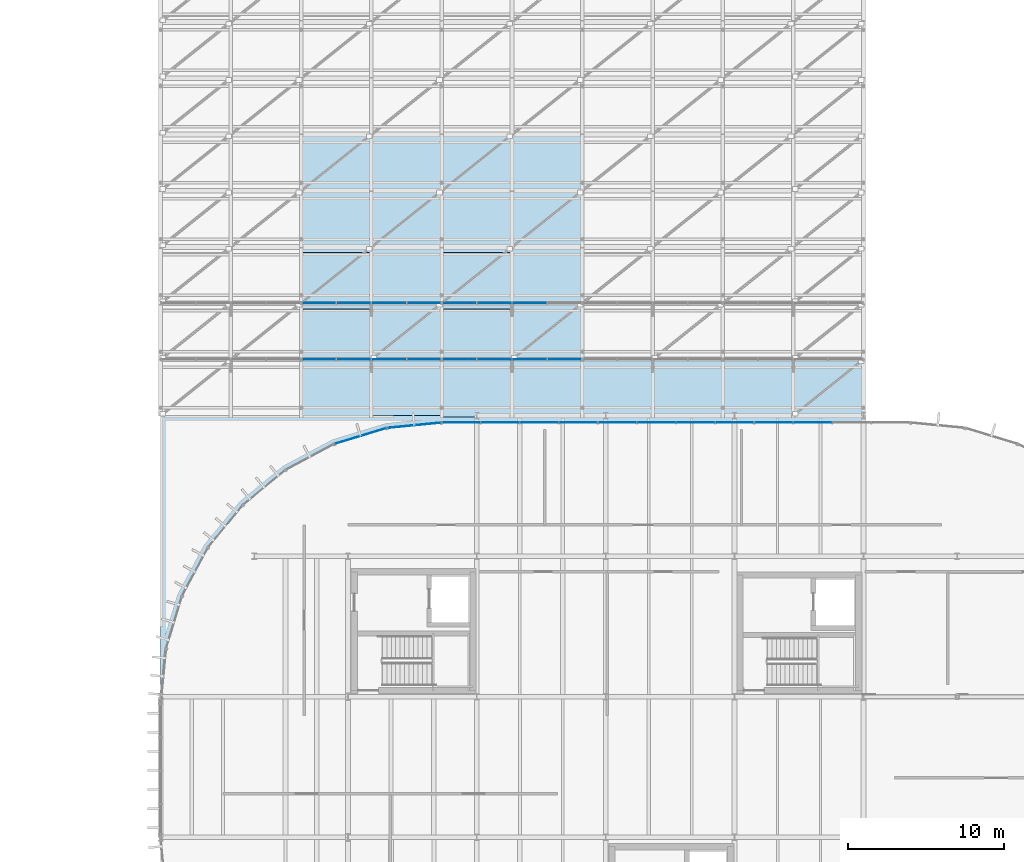
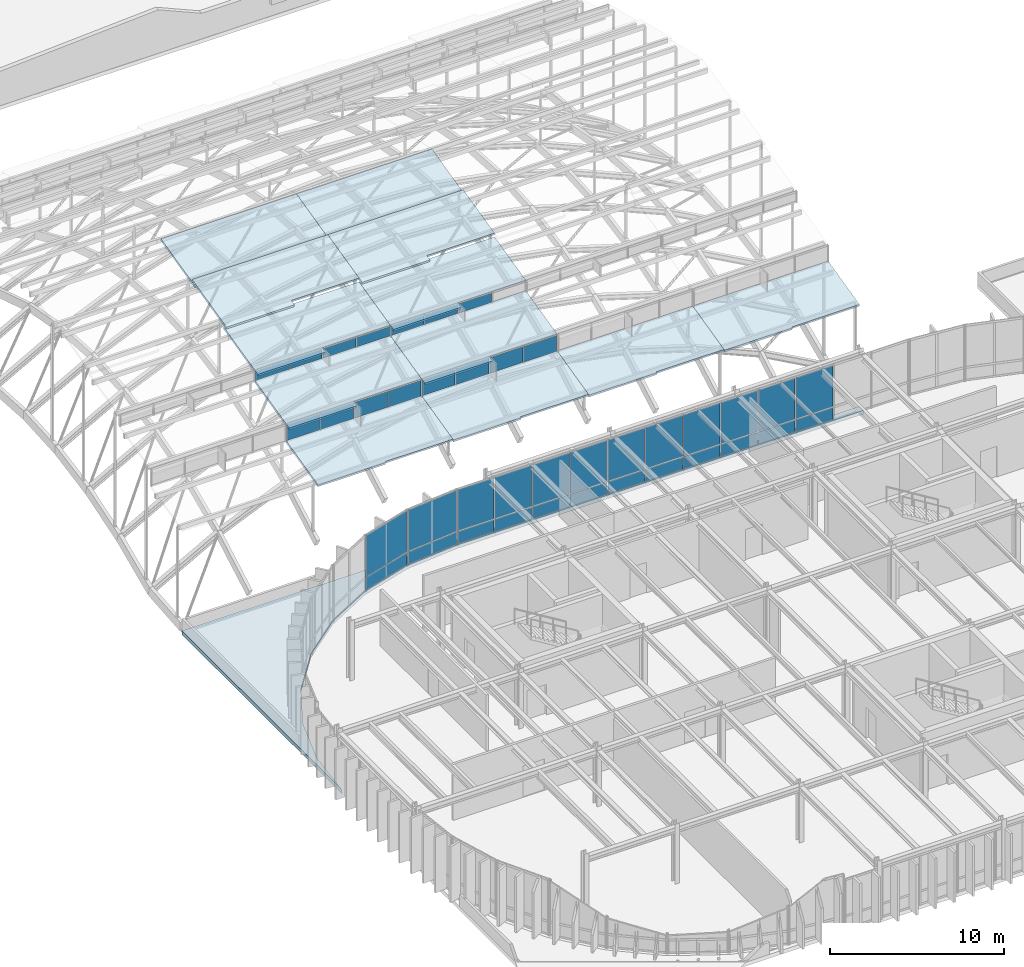
# One storey, part 45 of 69: 39 plates, 13 slabs, 11 elements without a shape of their own.
"""IFC4 building model written with IfcOpenShell, lengths in metres."""

from ifc_helpers import new_model, si_unit, direction, frame, origin, origin_2d, place, context, subcontext, project, spatial, polyline, rectangle, outline, extrude, material, layer, layer_set, type_object, element, aggregate, save


model = new_model("IFC4")

# Units and contexts
model_context = context("Model", 3, precision=1e-05, world=origin(), true_north=direction((0.0, 1.0)))
body_context = subcontext(model_context, "Body", "Model", "MODEL_VIEW")
ifc_project = project(units=[si_unit("LENGTHUNIT", "METRE"), si_unit("AREAUNIT", "SQUARE_METRE"), si_unit("VOLUMEUNIT", "CUBIC_METRE"), si_unit("PLANEANGLEUNIT", "RADIAN"), si_unit("MASSUNIT", "GRAM", prefix="KILO")], contexts=[model_context])

# Site, building, storey
site_placement = place(None, origin())
site = spatial("IfcSite", under=ifc_project, at=site_placement, CompositionType="ELEMENT")
building_placement = place(site_placement, origin())
building = spatial("IfcBuilding", under=site, at=building_placement, Name="Montealbar Specialist Clinic", CompositionType="ELEMENT")
storey_placement = place(building_placement, frame((0.0, 0.0, 9.60009765625)))
storey = spatial("IfcBuildingStorey", under=building, at=storey_placement, Name="L02", CompositionType="ELEMENT", Elevation=9.60009765625)

# Curtain wall, plates
ifc_material_1 = material(Name="Low-E double glazing", Category="glass")
ifc_layer_1 = layer(ifc_material_1, 0.199951171875, Name="Low-E double glazing", Category="glass")
ifc_layer_set_1 = layer_set([ifc_layer_1], Name="Low-E double glazing")
curtain_wall_type_1 = type_object("IfcCurtainWallType", Name="CW-TYPE-13", PredefinedType="NOTDEFINED", material=ifc_layer_set_1)
curtain_wall_1_placement = place(storey_placement, origin())
curtain_wall_1 = element("IfcCurtainWall", 1, at=curtain_wall_1_placement, inside=storey, type_object=curtain_wall_type_1, Name="Unitised Curtain Wall CW-L02-720-446-820-446-96", PredefinedType="NOTDEFINED")
ifc_layer_2 = layer(ifc_material_1, 0.028076171875, Name="Low-E double glazing", Category="glass")
ifc_layer_set_2 = layer_set([ifc_layer_2], Name="Low-E double glazing")
plate_type_1 = type_object("IfcPlateType", Name="CW-PNL-IGU28", PredefinedType="CURTAIN_PANEL", material=ifc_layer_set_2)
plate_1_placement = place(storey_placement, frame((73.25, 44.550048828125, 0.06982421875), z_axis=(0.0, 0.0, 1.0), x_axis=(1.0, 0.0, 0.0)))
plate_1 = element("IfcPlate", 2, at=plate_1_placement, type_object=plate_type_1, Name="Glazed Curtain Panel CW-L02-720-446-820-446-96-1-1", PredefinedType="CURTAIN_PANEL", context=body_context, shape_type="SweptSolid", body=[
    extrude(rectangle(XDim=2.427978515625, YDim=0.028076171875, at=origin_2d()), origin(), (0.0, 0.0, 1.0), 0.85009765625),
])
plate_2_placement = place(storey_placement, frame((73.25, 44.550048828125, 0.97998046875), z_axis=(0.0, 0.0, 1.0), x_axis=(1.0, 0.0, 0.0)))
plate_2 = element("IfcPlate", 3, at=plate_2_placement, type_object=plate_type_1, Name="Glazed Curtain Panel CW-L02-720-446-820-446-96-1-2", PredefinedType="CURTAIN_PANEL", context=body_context, shape_type="SweptSolid", body=[
    extrude(rectangle(XDim=2.427978515625, YDim=0.028076171875, at=origin_2d()), origin(), (0.0, 0.0, 1.0), 2.8798828125),
])
plate_3_placement = place(storey_placement, frame((75.75, 44.550048828125, 0.06982421875), z_axis=(0.0, 0.0, 1.0), x_axis=(1.0, 0.0, 0.0)))
plate_3 = element("IfcPlate", 4, at=plate_3_placement, type_object=plate_type_1, Name="Glazed Curtain Panel CW-L02-720-446-820-446-96-2-1", PredefinedType="CURTAIN_PANEL", context=body_context, shape_type="SweptSolid", body=[
    extrude(rectangle(XDim=2.427978515625, YDim=0.028076171875, at=origin_2d()), origin(), (0.0, 0.0, 1.0), 0.85009765625),
])
plate_4_placement = place(storey_placement, frame((75.75, 44.550048828125, 0.97998046875), z_axis=(0.0, 0.0, 1.0), x_axis=(1.0, 0.0, 0.0)))
plate_4 = element("IfcPlate", 5, at=plate_4_placement, type_object=plate_type_1, Name="Glazed Curtain Panel CW-L02-720-446-820-446-96-2-2", PredefinedType="CURTAIN_PANEL", context=body_context, shape_type="SweptSolid", body=[
    extrude(rectangle(XDim=2.427978515625, YDim=0.028076171875, at=origin_2d()), origin(), (0.0, 0.0, 1.0), 2.8798828125),
])
plate_5_placement = place(storey_placement, frame((78.25, 44.550048828125, 0.06982421875), z_axis=(0.0, 0.0, 1.0), x_axis=(1.0, 0.0, 0.0)))
plate_5 = element("IfcPlate", 6, at=plate_5_placement, type_object=plate_type_1, Name="Glazed Curtain Panel CW-L02-720-446-820-446-96-3-1", PredefinedType="CURTAIN_PANEL", context=body_context, shape_type="SweptSolid", body=[
    extrude(rectangle(XDim=2.427978515625, YDim=0.028076171875, at=origin_2d()), origin(), (0.0, 0.0, 1.0), 0.85009765625),
])
plate_6_placement = place(storey_placement, frame((78.25, 44.550048828125, 0.97998046875), z_axis=(0.0, 0.0, 1.0), x_axis=(1.0, 0.0, 0.0)))
plate_6 = element("IfcPlate", 7, at=plate_6_placement, type_object=plate_type_1, Name="Glazed Curtain Panel CW-L02-720-446-820-446-96-3-2", PredefinedType="CURTAIN_PANEL", context=body_context, shape_type="SweptSolid", body=[
    extrude(rectangle(XDim=2.427978515625, YDim=0.028076171875, at=origin_2d()), origin(), (0.0, 0.0, 1.0), 2.8798828125),
])
plate_7_placement = place(storey_placement, frame((80.75, 44.550048828125, 0.06982421875), z_axis=(0.0, 0.0, 1.0), x_axis=(1.0, 0.0, 0.0)))
plate_7 = element("IfcPlate", 8, at=plate_7_placement, type_object=plate_type_1, Name="Glazed Curtain Panel CW-L02-720-446-820-446-96-4-1", PredefinedType="CURTAIN_PANEL", context=body_context, shape_type="SweptSolid", body=[
    extrude(rectangle(XDim=2.427978515625, YDim=0.028076171875, at=origin_2d()), origin(), (0.0, 0.0, 1.0), 0.85009765625),
])
plate_8_placement = place(storey_placement, frame((80.75, 44.550048828125, 0.97998046875), z_axis=(0.0, 0.0, 1.0), x_axis=(1.0, 0.0, 0.0)))
plate_8 = element("IfcPlate", 9, at=plate_8_placement, type_object=plate_type_1, Name="Glazed Curtain Panel CW-L02-720-446-820-446-96-4-2", PredefinedType="CURTAIN_PANEL", context=body_context, shape_type="SweptSolid", body=[
    extrude(rectangle(XDim=2.427978515625, YDim=0.028076171875, at=origin_2d()), origin(), (0.0, 0.0, 1.0), 2.8798828125),
])
aggregate(curtain_wall_1, [plate_1, plate_2, plate_3, plate_4, plate_5, plate_6, plate_7, plate_8])

curtain_wall_2_placement = place(storey_placement, origin())
curtain_wall_2 = element("IfcCurtainWall", 10, at=curtain_wall_2_placement, inside=storey, type_object=curtain_wall_type_1, Name="Unitised Curtain Wall CW-L02-820-446-920-446-96", PredefinedType="NOTDEFINED")
plate_9_placement = place(storey_placement, frame((83.25, 44.550048828125, 0.06982421875), z_axis=(0.0, 0.0, 1.0), x_axis=(1.0, 0.0, 0.0)))
plate_9 = element("IfcPlate", 11, at=plate_9_placement, type_object=plate_type_1, Name="Glazed Curtain Panel CW-L02-820-446-920-446-96-1-1", PredefinedType="CURTAIN_PANEL", context=body_context, shape_type="SweptSolid", body=[
    extrude(rectangle(XDim=2.427978515625, YDim=0.028076171875, at=origin_2d()), origin(), (0.0, 0.0, 1.0), 0.85009765625),
])
plate_10_placement = place(storey_placement, frame((83.25, 44.550048828125, 0.97998046875), z_axis=(0.0, 0.0, 1.0), x_axis=(1.0, 0.0, 0.0)))
plate_10 = element("IfcPlate", 12, at=plate_10_placement, type_object=plate_type_1, Name="Glazed Curtain Panel CW-L02-820-446-920-446-96-1-2", PredefinedType="CURTAIN_PANEL", context=body_context, shape_type="SweptSolid", body=[
    extrude(rectangle(XDim=2.427978515625, YDim=0.028076171875, at=origin_2d()), origin(), (0.0, 0.0, 1.0), 2.8798828125),
])
plate_11_placement = place(storey_placement, frame((85.75, 44.550048828125, 0.06982421875), z_axis=(0.0, 0.0, 1.0), x_axis=(1.0, 0.0, 0.0)))
plate_11 = element("IfcPlate", 13, at=plate_11_placement, type_object=plate_type_1, Name="Glazed Curtain Panel CW-L02-820-446-920-446-96-2-1", PredefinedType="CURTAIN_PANEL", context=body_context, shape_type="SweptSolid", body=[
    extrude(rectangle(XDim=2.427978515625, YDim=0.028076171875, at=origin_2d()), origin(), (0.0, 0.0, 1.0), 0.85009765625),
])
plate_12_placement = place(storey_placement, frame((85.75, 44.550048828125, 0.97998046875), z_axis=(0.0, 0.0, 1.0), x_axis=(1.0, 0.0, 0.0)))
plate_12 = element("IfcPlate", 14, at=plate_12_placement, type_object=plate_type_1, Name="Glazed Curtain Panel CW-L02-820-446-920-446-96-2-2", PredefinedType="CURTAIN_PANEL", context=body_context, shape_type="SweptSolid", body=[
    extrude(rectangle(XDim=2.427978515625, YDim=0.028076171875, at=origin_2d()), origin(), (0.0, 0.0, 1.0), 2.8798828125),
])
plate_13_placement = place(storey_placement, frame((88.25, 44.550048828125, 0.06982421875), z_axis=(0.0, 0.0, 1.0), x_axis=(1.0, 0.0, 0.0)))
plate_13 = element("IfcPlate", 15, at=plate_13_placement, type_object=plate_type_1, Name="Glazed Curtain Panel CW-L02-820-446-920-446-96-3-1", PredefinedType="CURTAIN_PANEL", context=body_context, shape_type="SweptSolid", body=[
    extrude(rectangle(XDim=2.427978515625, YDim=0.028076171875, at=origin_2d()), origin(), (0.0, 0.0, 1.0), 0.85009765625),
])
plate_14_placement = place(storey_placement, frame((88.25, 44.550048828125, 0.97998046875), z_axis=(0.0, 0.0, 1.0), x_axis=(1.0, 0.0, 0.0)))
plate_14 = element("IfcPlate", 16, at=plate_14_placement, type_object=plate_type_1, Name="Glazed Curtain Panel CW-L02-820-446-920-446-96-3-2", PredefinedType="CURTAIN_PANEL", context=body_context, shape_type="SweptSolid", body=[
    extrude(rectangle(XDim=2.427978515625, YDim=0.028076171875, at=origin_2d()), origin(), (0.0, 0.0, 1.0), 2.8798828125),
])
plate_15_placement = place(storey_placement, frame((90.75, 44.550048828125, 0.06982421875), z_axis=(0.0, 0.0, 1.0), x_axis=(1.0, 0.0, 0.0)))
plate_15 = element("IfcPlate", 17, at=plate_15_placement, type_object=plate_type_1, Name="Glazed Curtain Panel CW-L02-820-446-920-446-96-4-1", PredefinedType="CURTAIN_PANEL", context=body_context, shape_type="SweptSolid", body=[
    extrude(rectangle(XDim=2.427978515625, YDim=0.028076171875, at=origin_2d()), origin(), (0.0, 0.0, 1.0), 0.85009765625),
])
plate_16_placement = place(storey_placement, frame((90.75, 44.550048828125, 0.97998046875), z_axis=(0.0, 0.0, 1.0), x_axis=(1.0, 0.0, 0.0)))
plate_16 = element("IfcPlate", 18, at=plate_16_placement, type_object=plate_type_1, Name="Glazed Curtain Panel CW-L02-820-446-920-446-96-4-2", PredefinedType="CURTAIN_PANEL", context=body_context, shape_type="SweptSolid", body=[
    extrude(rectangle(XDim=2.427978515625, YDim=0.028076171875, at=origin_2d()), origin(), (0.0, 0.0, 1.0), 2.8798828125),
])
aggregate(curtain_wall_2, [plate_9, plate_10, plate_11, plate_12, plate_13, plate_14, plate_15, plate_16])

curtain_wall_3_placement = place(storey_placement, origin())
curtain_wall_3 = element("IfcCurtainWall", 19, at=curtain_wall_3_placement, inside=storey, type_object=curtain_wall_type_1, Name="Unitised Curtain Wall CW-L02-920-446-1020-446-96", PredefinedType="NOTDEFINED")
plate_17_placement = place(storey_placement, frame((93.25, 44.550048828125, 0.06982421875), z_axis=(0.0, 0.0, 1.0), x_axis=(1.0, 0.0, 0.0)))
plate_17 = element("IfcPlate", 20, at=plate_17_placement, type_object=plate_type_1, Name="Glazed Curtain Panel CW-L02-920-446-1020-446-96-1-1", PredefinedType="CURTAIN_PANEL", context=body_context, shape_type="SweptSolid", body=[
    extrude(rectangle(XDim=2.427978515625, YDim=0.028076171875, at=origin_2d()), origin(), (0.0, 0.0, 1.0), 0.85009765625),
])
plate_18_placement = place(storey_placement, frame((93.25, 44.550048828125, 0.97998046875), z_axis=(0.0, 0.0, 1.0), x_axis=(1.0, 0.0, 0.0)))
plate_18 = element("IfcPlate", 21, at=plate_18_placement, type_object=plate_type_1, Name="Glazed Curtain Panel CW-L02-920-446-1020-446-96-1-2", PredefinedType="CURTAIN_PANEL", context=body_context, shape_type="SweptSolid", body=[
    extrude(rectangle(XDim=2.427978515625, YDim=0.028076171875, at=origin_2d()), origin(), (0.0, 0.0, 1.0), 2.8798828125),
])
plate_19_placement = place(storey_placement, frame((95.75, 44.550048828125, 0.06982421875), z_axis=(0.0, 0.0, 1.0), x_axis=(1.0, 0.0, 0.0)))
plate_19 = element("IfcPlate", 22, at=plate_19_placement, type_object=plate_type_1, Name="Glazed Curtain Panel CW-L02-920-446-1020-446-96-2-1", PredefinedType="CURTAIN_PANEL", context=body_context, shape_type="SweptSolid", body=[
    extrude(rectangle(XDim=2.427978515625, YDim=0.028076171875, at=origin_2d()), origin(), (0.0, 0.0, 1.0), 0.85009765625),
])
plate_20_placement = place(storey_placement, frame((95.75, 44.550048828125, 0.97998046875), z_axis=(0.0, 0.0, 1.0), x_axis=(1.0, 0.0, 0.0)))
plate_20 = element("IfcPlate", 23, at=plate_20_placement, type_object=plate_type_1, Name="Glazed Curtain Panel CW-L02-920-446-1020-446-96-2-2", PredefinedType="CURTAIN_PANEL", context=body_context, shape_type="SweptSolid", body=[
    extrude(rectangle(XDim=2.427978515625, YDim=0.028076171875, at=origin_2d()), origin(), (0.0, 0.0, 1.0), 2.8798828125),
])
aggregate(curtain_wall_3, [plate_17, plate_18, plate_19, plate_20])

ifc_layer_3 = layer(ifc_material_1, 0.199951171875, Name="Low-E double glazing", Category="glass")
ifc_layer_set_3 = layer_set([ifc_layer_3], Name="Low-E double glazing")
curtain_wall_type_2 = type_object("IfcCurtainWallType", Name="CW-TYPE-47", PredefinedType="NOTDEFINED", material=ifc_layer_set_3)
curtain_wall_4_placement = place(storey_placement, origin())
curtain_wall_4 = element("IfcCurtainWall", 24, at=curtain_wall_4_placement, inside=storey, type_object=curtain_wall_type_2, Name="Unitised Curtain Wall CW-L02-630-486-720-486-175", PredefinedType="NOTDEFINED")
plate_21_placement = place(storey_placement, frame((64.125, 48.60009765625, 8.00439453125), z_axis=(0.0, 0.0, 1.0), x_axis=(1.0, 0.0, 0.0)))
plate_21 = element("IfcPlate", 25, at=plate_21_placement, type_object=plate_type_1, Name="Glazed Curtain Panel CW-L02-630-486-720-486-175-1-1", PredefinedType="CURTAIN_PANEL", context=body_context, shape_type="SweptSolid", body=[
    extrude(rectangle(XDim=2.177978515625, YDim=0.028076171875, at=origin_2d()), origin(), (0.0, 0.0, 1.0), 1.116943359375),
])
plate_22_placement = place(storey_placement, frame((66.375, 48.60009765625, 8.00439453125), z_axis=(0.0, 0.0, 1.0), x_axis=(1.0, 0.0, 0.0)))
plate_22 = element("IfcPlate", 26, at=plate_22_placement, type_object=plate_type_1, Name="Glazed Curtain Panel CW-L02-630-486-720-486-175-2-1", PredefinedType="CURTAIN_PANEL", context=body_context, shape_type="SweptSolid", body=[
    extrude(rectangle(XDim=2.177978515625, YDim=0.028076171875, at=origin_2d()), origin(), (0.0, 0.0, 1.0), 1.116943359375),
])
plate_23_placement = place(storey_placement, frame((68.625, 48.60009765625, 8.00439453125), z_axis=(0.0, 0.0, 1.0), x_axis=(1.0, 0.0, 0.0)))
plate_23 = element("IfcPlate", 27, at=plate_23_placement, type_object=plate_type_1, Name="Glazed Curtain Panel CW-L02-630-486-720-486-175-3-1", PredefinedType="CURTAIN_PANEL", context=body_context, shape_type="SweptSolid", body=[
    extrude(rectangle(XDim=2.177978515625, YDim=0.028076171875, at=origin_2d()), origin(), (0.0, 0.0, 1.0), 1.116943359375),
])
plate_24_placement = place(storey_placement, frame((70.875, 48.60009765625, 8.00439453125), z_axis=(0.0, 0.0, 1.0), x_axis=(1.0, 0.0, 0.0)))
plate_24 = element("IfcPlate", 28, at=plate_24_placement, type_object=plate_type_1, Name="Glazed Curtain Panel CW-L02-630-486-720-486-175-4-1", PredefinedType="CURTAIN_PANEL", context=body_context, shape_type="SweptSolid", body=[
    extrude(rectangle(XDim=2.177978515625, YDim=0.028076171875, at=origin_2d()), origin(), (0.0, 0.0, 1.0), 1.116943359375),
])
aggregate(curtain_wall_4, [plate_21, plate_22, plate_23, plate_24])

curtain_wall_5_placement = place(storey_placement, origin())
curtain_wall_5 = element("IfcCurtainWall", 29, at=curtain_wall_5_placement, inside=storey, type_object=curtain_wall_type_2, Name="Unitised Curtain Wall CW-L02-720-486-810-486-175", PredefinedType="NOTDEFINED")
plate_25_placement = place(storey_placement, frame((73.125, 48.60009765625, 8.00439453125), z_axis=(0.0, 0.0, 1.0), x_axis=(1.0, 0.0, 0.0)))
plate_25 = element("IfcPlate", 30, at=plate_25_placement, type_object=plate_type_1, Name="Glazed Curtain Panel CW-L02-720-486-810-486-175-1-1", PredefinedType="CURTAIN_PANEL", context=body_context, shape_type="SweptSolid", body=[
    extrude(rectangle(XDim=2.177978515625, YDim=0.028076171875, at=origin_2d()), origin(), (0.0, 0.0, 1.0), 1.116943359375),
])
plate_26_placement = place(storey_placement, frame((75.375, 48.60009765625, 8.00439453125), z_axis=(0.0, 0.0, 1.0), x_axis=(1.0, 0.0, 0.0)))
plate_26 = element("IfcPlate", 31, at=plate_26_placement, type_object=plate_type_1, Name="Glazed Curtain Panel CW-L02-720-486-810-486-175-2-1", PredefinedType="CURTAIN_PANEL", context=body_context, shape_type="SweptSolid", body=[
    extrude(rectangle(XDim=2.177978515625, YDim=0.028076171875, at=origin_2d()), origin(), (0.0, 0.0, 1.0), 1.116943359375),
])
plate_27_placement = place(storey_placement, frame((77.625, 48.60009765625, 8.00439453125), z_axis=(0.0, 0.0, 1.0), x_axis=(1.0, 0.0, 0.0)))
plate_27 = element("IfcPlate", 32, at=plate_27_placement, type_object=plate_type_1, Name="Glazed Curtain Panel CW-L02-720-486-810-486-175-3-1", PredefinedType="CURTAIN_PANEL", context=body_context, shape_type="SweptSolid", body=[
    extrude(rectangle(XDim=2.177978515625, YDim=0.028076171875, at=origin_2d()), origin(), (0.0, 0.0, 1.0), 1.116943359375),
])
plate_28_placement = place(storey_placement, frame((79.875, 48.60009765625, 8.00439453125), z_axis=(0.0, 0.0, 1.0), x_axis=(1.0, 0.0, 0.0)))
plate_28 = element("IfcPlate", 33, at=plate_28_placement, type_object=plate_type_1, Name="Glazed Curtain Panel CW-L02-720-486-810-486-175-4-1", PredefinedType="CURTAIN_PANEL", context=body_context, shape_type="SweptSolid", body=[
    extrude(rectangle(XDim=2.177978515625, YDim=0.028076171875, at=origin_2d()), origin(), (0.0, 0.0, 1.0), 1.116943359375),
])
aggregate(curtain_wall_5, [plate_25, plate_26, plate_27, plate_28])

ifc_layer_4 = layer(ifc_material_1, 0.199951171875, Name="Low-E double glazing", Category="glass")
ifc_layer_set_4 = layer_set([ifc_layer_4], Name="Low-E double glazing")
curtain_wall_type_3 = type_object("IfcCurtainWallType", Name="CW-TYPE-48", PredefinedType="NOTDEFINED", material=ifc_layer_set_4)
curtain_wall_6_placement = place(storey_placement, origin())
curtain_wall_6 = element("IfcCurtainWall", 34, at=curtain_wall_6_placement, inside=storey, type_object=curtain_wall_type_3, Name="Unitised Curtain Wall CW-L02-630-522-720-522-196", PredefinedType="NOTDEFINED")
plate_29_placement = place(storey_placement, frame((64.125, 52.199951171875, 10.044921875), z_axis=(0.0, 0.0, 1.0), x_axis=(1.0, 0.0, 0.0)))
plate_29 = element("IfcPlate", 35, at=plate_29_placement, type_object=plate_type_1, Name="Glazed Curtain Panel CW-L02-630-522-720-522-196-1-1", PredefinedType="CURTAIN_PANEL", context=body_context, shape_type="SweptSolid", body=[
    extrude(rectangle(XDim=2.177978515625, YDim=0.028076171875, at=origin_2d()), origin(), (0.0, 0.0, 1.0), 0.6640625),
])
plate_30_placement = place(storey_placement, frame((66.375, 52.199951171875, 10.044921875), z_axis=(0.0, 0.0, 1.0), x_axis=(1.0, 0.0, 0.0)))
plate_30 = element("IfcPlate", 36, at=plate_30_placement, type_object=plate_type_1, Name="Glazed Curtain Panel CW-L02-630-522-720-522-196-2-1", PredefinedType="CURTAIN_PANEL", context=body_context, shape_type="SweptSolid", body=[
    extrude(rectangle(XDim=2.177978515625, YDim=0.028076171875, at=origin_2d()), origin(), (0.0, 0.0, 1.0), 0.6640625),
])
plate_31_placement = place(storey_placement, frame((68.625, 52.199951171875, 10.044921875), z_axis=(0.0, 0.0, 1.0), x_axis=(1.0, 0.0, 0.0)))
plate_31 = element("IfcPlate", 37, at=plate_31_placement, type_object=plate_type_1, Name="Glazed Curtain Panel CW-L02-630-522-720-522-196-3-1", PredefinedType="CURTAIN_PANEL", context=body_context, shape_type="SweptSolid", body=[
    extrude(rectangle(XDim=2.177978515625, YDim=0.028076171875, at=origin_2d()), origin(), (0.0, 0.0, 1.0), 0.6640625),
])
plate_32_placement = place(storey_placement, frame((70.875, 52.199951171875, 10.044921875), z_axis=(0.0, 0.0, 1.0), x_axis=(1.0, 0.0, 0.0)))
plate_32 = element("IfcPlate", 38, at=plate_32_placement, type_object=plate_type_1, Name="Glazed Curtain Panel CW-L02-630-522-720-522-196-4-1", PredefinedType="CURTAIN_PANEL", context=body_context, shape_type="SweptSolid", body=[
    extrude(rectangle(XDim=2.177978515625, YDim=0.028076171875, at=origin_2d()), origin(), (0.0, 0.0, 1.0), 0.6640625),
])
aggregate(curtain_wall_6, [plate_29, plate_30, plate_31, plate_32])

curtain_wall_7_placement = place(storey_placement, origin())
curtain_wall_7 = element("IfcCurtainWall", 39, at=curtain_wall_7_placement, inside=storey, type_object=curtain_wall_type_3, Name="Unitised Curtain Wall CW-L02-720-522-810-522-196", PredefinedType="NOTDEFINED")
plate_33_placement = place(storey_placement, frame((73.125, 52.199951171875, 10.044921875), z_axis=(0.0, 0.0, 1.0), x_axis=(1.0, 0.0, 0.0)))
plate_33 = element("IfcPlate", 40, at=plate_33_placement, type_object=plate_type_1, Name="Glazed Curtain Panel CW-L02-720-522-810-522-196-1-1", PredefinedType="CURTAIN_PANEL", context=body_context, shape_type="SweptSolid", body=[
    extrude(rectangle(XDim=2.177978515625, YDim=0.028076171875, at=origin_2d()), origin(), (0.0, 0.0, 1.0), 0.6640625),
])
plate_34_placement = place(storey_placement, frame((75.375, 52.199951171875, 10.044921875), z_axis=(0.0, 0.0, 1.0), x_axis=(1.0, 0.0, 0.0)))
plate_34 = element("IfcPlate", 41, at=plate_34_placement, type_object=plate_type_1, Name="Glazed Curtain Panel CW-L02-720-522-810-522-196-2-1", PredefinedType="CURTAIN_PANEL", context=body_context, shape_type="SweptSolid", body=[
    extrude(rectangle(XDim=2.177978515625, YDim=0.028076171875, at=origin_2d()), origin(), (0.0, 0.0, 1.0), 0.6640625),
])
plate_35_placement = place(storey_placement, frame((77.625, 52.199951171875, 10.044921875), z_axis=(0.0, 0.0, 1.0), x_axis=(1.0, 0.0, 0.0)))
plate_35 = element("IfcPlate", 42, at=plate_35_placement, type_object=plate_type_1, Name="Glazed Curtain Panel CW-L02-720-522-810-522-196-3-1", PredefinedType="CURTAIN_PANEL", context=body_context, shape_type="SweptSolid", body=[
    extrude(rectangle(XDim=2.177978515625, YDim=0.028076171875, at=origin_2d()), origin(), (0.0, 0.0, 1.0), 0.6640625),
])
aggregate(curtain_wall_7, [plate_33, plate_34, plate_35])

ifc_layer_5 = layer(ifc_material_1, 0.199951171875, Name="Low-E double glazing", Category="glass")
ifc_layer_set_5 = layer_set([ifc_layer_5], Name="Low-E double glazing")
curtain_wall_type_4 = type_object("IfcCurtainWallType", Name="CW-TYPE-12", PredefinedType="NOTDEFINED", material=ifc_layer_set_5)
curtain_wall_8_placement = place(storey_placement, origin())
curtain_wall_8 = element("IfcCurtainWall", 43, at=curtain_wall_8_placement, inside=storey, type_object=curtain_wall_type_4, Name="Unitised Curtain Wall CW-L02-651-432-685-442-96", PredefinedType="NOTDEFINED")
ifc_layer_6 = layer(ifc_material_1, 0.0380859375, Name="Low-E double glazing", Category="glass")
ifc_layer_set_6 = layer_set([ifc_layer_6], Name="Low-E double glazing")
plate_type_2 = type_object("IfcPlateType", Name="CW-PNL-IGU38", PredefinedType="CURTAIN_PANEL", material=ifc_layer_set_6)
plate_36_placement = place(storey_placement, frame((66.800048828125, 43.69189453125, 0.06982421875), z_axis=(0.0, 0.0, 1.0), x_axis=(0.956948083701, 0.290259134399, 0.0)))
plate_36 = element("IfcPlate", 44, at=plate_36_placement, type_object=plate_type_2, Name="Glazed Curtain Panel CW-L02-651-432-685-442-96-1-1", PredefinedType="CURTAIN_PANEL", context=body_context, shape_type="SweptSolid", body=[
    extrude(rectangle(XDim=3.444091796875, YDim=0.0380859375, at=origin_2d()), origin(), (0.0, 0.0, 1.0), 0.85009765625),
])
plate_37_placement = place(storey_placement, frame((66.800048828125, 43.69189453125, 0.97998046875), z_axis=(0.0, 0.0, 1.0), x_axis=(0.956948083701, 0.290259134399, 0.0)))
plate_37 = element("IfcPlate", 45, at=plate_37_placement, type_object=plate_type_2, Name="Glazed Curtain Panel CW-L02-651-432-685-442-96-1-2", PredefinedType="CURTAIN_PANEL", context=body_context, shape_type="SweptSolid", body=[
    extrude(rectangle(XDim=3.444091796875, YDim=0.0380859375, at=origin_2d()), origin(), (0.0, 0.0, 1.0), 2.8798828125),
])
aggregate(curtain_wall_8, [plate_36, plate_37])

curtain_wall_9_placement = place(storey_placement, origin())
curtain_wall_9 = element("IfcCurtainWall", 46, at=curtain_wall_9_placement, inside=storey, type_object=curtain_wall_type_4, Name="Unitised Curtain Wall CW-L02-685-442-720-446-96", PredefinedType="NOTDEFINED")
plate_38_placement = place(storey_placement, frame((70.243896484375, 44.376953125, 0.06982421875), z_axis=(0.0, 0.0, 1.0), x_axis=(0.995182012183, 0.098044697094, 0.0)))
plate_38 = element("IfcPlate", 47, at=plate_38_placement, type_object=plate_type_2, Name="Glazed Curtain Panel CW-L02-685-442-720-446-96-1-1", PredefinedType="CURTAIN_PANEL", context=body_context, shape_type="SweptSolid", body=[
    extrude(rectangle(XDim=3.445068359375, YDim=0.0380859375, at=origin_2d()), origin(), (0.0, 0.0, 1.0), 0.85009765625),
])
plate_39_placement = place(storey_placement, frame((70.243896484375, 44.376953125, 0.97998046875), z_axis=(0.0, 0.0, 1.0), x_axis=(0.995182012183, 0.098044697094, 0.0)))
plate_39 = element("IfcPlate", 48, at=plate_39_placement, type_object=plate_type_2, Name="Glazed Curtain Panel CW-L02-685-442-720-446-96-1-2", PredefinedType="CURTAIN_PANEL", context=body_context, shape_type="SweptSolid", body=[
    extrude(rectangle(XDim=3.445068359375, YDim=0.0380859375, at=origin_2d()), origin(), (0.0, 0.0, 1.0), 2.8798828125),
])
aggregate(curtain_wall_9, [plate_38, plate_39])

# Roof, slabs
ifc_material_2 = material(Name="Glulam GL28h", Category="wood")
roof_type_1 = type_object("IfcRoofType", Name="ROOF-GRIDSHELL", PredefinedType="BARREL_ROOF", material=ifc_material_2)
roof_1_placement = place(storey_placement, origin())
roof_1 = element("IfcRoof", 49, at=roof_1_placement, inside=storey, type_object=roof_type_1, Name="Treatment Hall translational gridshell barrel vault roof", PredefinedType="BARREL_ROOF")
ifc_material_3 = material(Name="Precast concrete C40/50", Category="concrete")
ifc_layer_7 = layer(ifc_material_3, 0.159912109375, Name="Precast concrete C40/50", Category="concrete")
ifc_layer_set_7 = layer_set([ifc_layer_7], Name="Precast concrete C40/50")
slab_type_1 = type_object("IfcSlabType", Name="SL-ROOF-160", PredefinedType="ROOF", material=ifc_layer_set_7)
slab_1_placement = place(storey_placement, frame((63.0, 44.919921875, 7.130859375), z_axis=(9.379972e-06, -0.233348286157, 0.972393221521), x_axis=(0.999999999956, 2.1888e-06, -9.121021e-06)))
slab_1 = element("IfcSlab", 50, at=slab_1_placement, type_object=slab_type_1, Name="Gridshell Sloped Roof Panel 1-2", PredefinedType="ROOF", context=body_context, shape_type="SweptSolid", body=[
    extrude(outline(polyline([(0.0, 0.0), (4.499999999802037, 0.0), (4.500000001385747, 0.08231107006687044), (9.000000001187782, 0.08231107006687044), (9.000000000395927, 3.7846377375284233), (7.918548845890625e-10, 3.7846377375284233), (0.0, 0.0)])), origin(), (0.0, 0.0, -1.0), 0.159912109375),
])
slab_2_placement = place(storey_placement, frame((72.0, 44.919921875, 7.130859375), z_axis=(9.379972e-06, -0.233348286157, 0.972393221521), x_axis=(0.999999999956, 2.1888e-06, -9.121021e-06)))
slab_2 = element("IfcSlab", 51, at=slab_2_placement, type_object=slab_type_1, Name="Gridshell Sloped Roof Panel 1-3", PredefinedType="ROOF", context=body_context, shape_type="SweptSolid", body=[
    extrude(outline(polyline([(0.0, 0.0), (4.499999999802037, 0.0), (4.500000001385747, 0.08231107006687044), (9.000000001187782, 0.08231107006687044), (9.000000000395927, 3.7846377375284233), (7.918548845890625e-10, 3.7846377375284233), (0.0, 0.0)])), origin(), (0.0, 0.0, -1.0), 0.159912109375),
])
slab_3_placement = place(storey_placement, frame((81.0, 44.919921875, 7.130859375), z_axis=(9.379972e-06, -0.233348286157, 0.972393221521), x_axis=(0.999999999956, 2.1888e-06, -9.121021e-06)))
slab_3 = element("IfcSlab", 52, at=slab_3_placement, type_object=slab_type_1, Name="Gridshell Sloped Roof Panel 1-4", PredefinedType="ROOF", context=body_context, shape_type="SweptSolid", body=[
    extrude(outline(polyline([(0.0, 0.0), (4.499999999802037, 0.0), (4.500000001385747, 0.08231107006687044), (9.000000001187782, 0.08231107006687044), (9.000000000395927, 3.7846377375284233), (7.918548845890625e-10, 3.7846377375284233), (0.0, 0.0)])), origin(), (0.0, 0.0, -1.0), 0.159912109375),
])
slab_4_placement = place(storey_placement, frame((90.0, 44.919921875, 7.130859375), z_axis=(9.379972e-06, -0.233348286157, 0.972393221521), x_axis=(0.999999999956, 2.1888e-06, -9.121021e-06)))
slab_4 = element("IfcSlab", 53, at=slab_4_placement, type_object=slab_type_1, Name="Gridshell Sloped Roof Panel 1-5", PredefinedType="ROOF", context=body_context, shape_type="SweptSolid", body=[
    extrude(outline(polyline([(0.0, 0.0), (4.499999999802037, 0.0), (4.500000001385747, 0.08231107006687044), (9.000000001187782, 0.08231107006687044), (9.000000000395927, 3.7846377375284233), (7.918548845890625e-10, 3.7846377375284233), (0.0, 0.0)])), origin(), (0.0, 0.0, -1.0), 0.159912109375),
])
slab_5_placement = place(storey_placement, frame((63.0, 48.239990234375, 9.10498046875), z_axis=(2.5372802e-05, -0.233325443566, 0.97239870256), x_axis=(0.999999999678, 5.92012e-06, -2.467248e-05)))
slab_5 = element("IfcSlab", 54, at=slab_5_placement, type_object=slab_type_1, Name="Gridshell Sloped Roof Panel 2-2", PredefinedType="ROOF", context=body_context, shape_type="SweptSolid", body=[
    extrude(outline(polyline([(0.0, 0.0), (4.499999998551497, 0.0), (4.500000010139521, 0.37021939523920666), (9.000000008691018, 0.37021939523920666), (9.000000002897007, 4.07230865766907), (5.794011813483235e-09, 4.07230865766907), (0.0, 0.0)])), origin(), (0.0, 0.0, -1.0), 0.159912109375),
])
slab_6_placement = place(storey_placement, frame((72.0, 48.239990234375, 9.10498046875), z_axis=(2.5372802e-05, -0.233325443566, 0.97239870256), x_axis=(0.999999999678, 5.92012e-06, -2.467248e-05)))
slab_6 = element("IfcSlab", 55, at=slab_6_placement, type_object=slab_type_1, Name="Gridshell Sloped Roof Panel 2-3", PredefinedType="ROOF", context=body_context, shape_type="SweptSolid", body=[
    extrude(outline(polyline([(0.0, 0.0), (4.499999998551497, 0.0), (4.500000010139521, 0.37021939523920666), (9.000000008691018, 0.37021939523920666), (9.000000002897007, 4.07230865766907), (5.794011813483235e-09, 4.07230865766907), (0.0, 0.0)])), origin(), (0.0, 0.0, -1.0), 0.159912109375),
])
slab_7_placement = place(storey_placement, frame((63.0, 51.840087890625, 10.69287109375), z_axis=(2.2057521e-05, -0.23331831888, 0.97240041217), x_axis=(0.999999999757, 5.146424e-06, -2.1448743e-05)))
slab_7 = element("IfcSlab", 56, at=slab_7_placement, type_object=slab_type_1, Name="Gridshell Sloped Roof Panel 3-2", PredefinedType="ROOF", context=body_context, shape_type="SweptSolid", body=[
    extrude(outline(polyline([(0.0, 0.0), (4.499999998905298, 0.0), (4.500000007662914, 0.3699819961311201), (9.000000006568213, 0.3699819961311201), (9.000000002189404, 4.072308659232904), (4.3788082904252644e-09, 4.072308659232904), (0.0, 0.0)])), origin(), (0.0, 0.0, -1.0), 0.159912109375),
])
slab_8_placement = place(storey_placement, frame((72.0, 51.840087890625, 10.69287109375), z_axis=(2.2057521e-05, -0.23331831888, 0.97240041217), x_axis=(0.999999999757, 5.146424e-06, -2.1448743e-05)))
slab_8 = element("IfcSlab", 57, at=slab_8_placement, type_object=slab_type_1, Name="Gridshell Sloped Roof Panel 3-3", PredefinedType="ROOF", context=body_context, shape_type="SweptSolid", body=[
    extrude(outline(polyline([(0.0, 0.0), (4.499999998905298, 0.0), (4.500000007662914, 0.3699819961311201), (9.000000006568213, 0.3699819961311201), (9.000000002189404, 4.072308659232904), (4.3788082904252644e-09, 4.072308659232904), (0.0, 0.0)])), origin(), (0.0, 0.0, -1.0), 0.159912109375),
])
slab_9_placement = place(storey_placement, frame((63.0, 55.43994140625, 11.826904296875), z_axis=(2.5372802e-05, -0.233325443566, 0.97239870256), x_axis=(0.999999999678, 5.92012e-06, -2.467248e-05)))
slab_9 = element("IfcSlab", 58, at=slab_9_placement, type_object=slab_type_1, Name="Gridshell Sloped Roof Panel 4-2", PredefinedType="ROOF", context=body_context, shape_type="SweptSolid", body=[
    extrude(outline(polyline([(0.0, 0.0), (4.499999998551497, 0.0), (4.500000010139521, 0.37021939523920666), (9.000000008691018, 0.37021939523920666), (9.000000002897007, 4.07230865766907), (5.794011813483235e-09, 4.07230865766907), (0.0, 0.0)])), origin(), (0.0, 0.0, -1.0), 0.159912109375),
])
slab_10_placement = place(storey_placement, frame((72.0, 55.43994140625, 11.826904296875), z_axis=(2.5372802e-05, -0.233325443566, 0.97239870256), x_axis=(0.999999999678, 5.92012e-06, -2.467248e-05)))
slab_10 = element("IfcSlab", 59, at=slab_10_placement, type_object=slab_type_1, Name="Gridshell Sloped Roof Panel 4-3", PredefinedType="ROOF", context=body_context, shape_type="SweptSolid", body=[
    extrude(outline(polyline([(0.0, 0.0), (4.499999998551497, 0.0), (4.500000010139521, 0.37021939523920666), (9.000000008691018, 0.37021939523920666), (9.000000002897007, 4.07230865766907), (5.794011813483235e-09, 4.07230865766907), (0.0, 0.0)])), origin(), (0.0, 0.0, -1.0), 0.159912109375),
])
slab_11_placement = place(storey_placement, frame((63.0, 59.0400390625, 12.5068359375), z_axis=(8.240752e-06, -0.233288625861, 0.972407536466), x_axis=(0.999999999966, 1.922474e-06, -8.013369e-06)))
slab_11 = element("IfcSlab", 60, at=slab_11_placement, type_object=slab_type_1, Name="Gridshell Sloped Roof Panel 5-2", PredefinedType="ROOF", context=body_context, shape_type="SweptSolid", body=[
    extrude(outline(polyline([(0.0, 0.0), (4.499999999847203, -1.9058241313221758e-21), (4.500000001069583, 0.3700389633133201), (9.000000000916787, 0.3700389633133201), (9.000000000305597, 4.072308663396214), (6.111899073148812e-10, 4.072308663396214), (0.0, 0.0)])), origin(), (0.0, 0.0, -1.0), 0.159912109375),
])
slab_12_placement = place(storey_placement, frame((72.0, 59.0400390625, 12.5068359375), z_axis=(8.240752e-06, -0.233288625861, 0.972407536466), x_axis=(0.999999999966, 1.922474e-06, -8.013369e-06)))
slab_12 = element("IfcSlab", 61, at=slab_12_placement, type_object=slab_type_1, Name="Gridshell Sloped Roof Panel 5-3", PredefinedType="ROOF", context=body_context, shape_type="SweptSolid", body=[
    extrude(outline(polyline([(0.0, 0.0), (4.499999999847203, -1.9058241313221758e-21), (4.500000001069583, 0.3700389633133201), (9.000000000916787, 0.3700389633133201), (9.000000000305597, 4.072308663396214), (6.111899073148812e-10, 4.072308663396214), (0.0, 0.0)])), origin(), (0.0, 0.0, -1.0), 0.159912109375),
])
aggregate(roof_1, [slab_1, slab_2, slab_3, slab_4, slab_5, slab_6, slab_7, slab_8, slab_9, slab_10, slab_11, slab_12])

# Roof, slab
ifc_material_4 = material(Name="Weatherproof roofing membrane", Category="concrete")
roof_type_2 = type_object("IfcRoofType", Name="ROOF-CONT-FLAT", PredefinedType="FLAT_ROOF", material=ifc_material_4)
roof_2_placement = place(storey_placement, origin())
roof_2 = element("IfcRoof", 62, at=roof_2_placement, inside=storey, type_object=roof_type_2, Name="Flat Roof Assembly ROOF-L02-05", PredefinedType="FLAT_ROOF")
ifc_material_5 = material(Name="Concrete C35/45", Category="concrete")
ifc_layer_8 = layer(ifc_material_5, 0.27001953125, Name="Concrete C35/45", Category="concrete")
ifc_layer_set_8 = layer_set([ifc_layer_8], Name="Concrete C35/45")
slab_type_2 = type_object("IfcSlabType", Name="SL-ROOF-220", PredefinedType="ROOF", material=ifc_layer_set_8)
slab_13_placement = place(storey_placement, frame((0.0, 0.0, -0.27001953125)))
slab_13 = element("IfcSlab", 63, at=slab_13_placement, type_object=slab_type_2, Name="Roof Slab ROOF-L02-05", PredefinedType="ROOF", context=body_context, shape_type="SweptSolid", body=[
    extrude(outline(polyline([(99.0, 44.550048828125), (72.0, 44.550048828125), (68.488037109375, 44.2041015625), (65.112060546875, 43.179931640625), (62.0, 41.51611328125), (59.27197265625, 39.278076171875), (57.033935546875, 36.550048828125), (55.3701171875, 33.43798828125), (54.345947265625, 30.06201171875), (54.0, 26.5810546875), (54.0, 45.0), (99.0, 45.0), (99.0, 44.550048828125)])), origin(), (0.0, 0.0, 1.0), 0.27001953125),
])
aggregate(roof_2, [slab_13])

save(model, "model.ifc")
